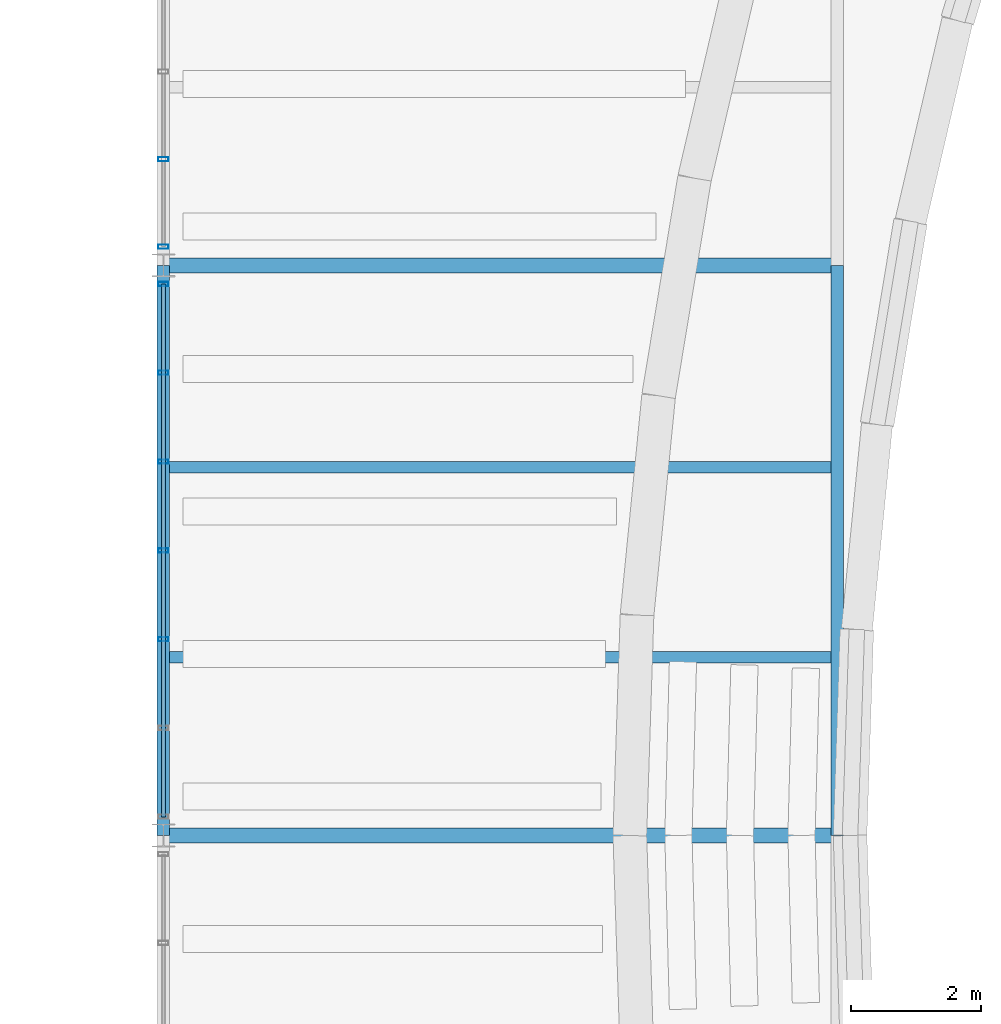
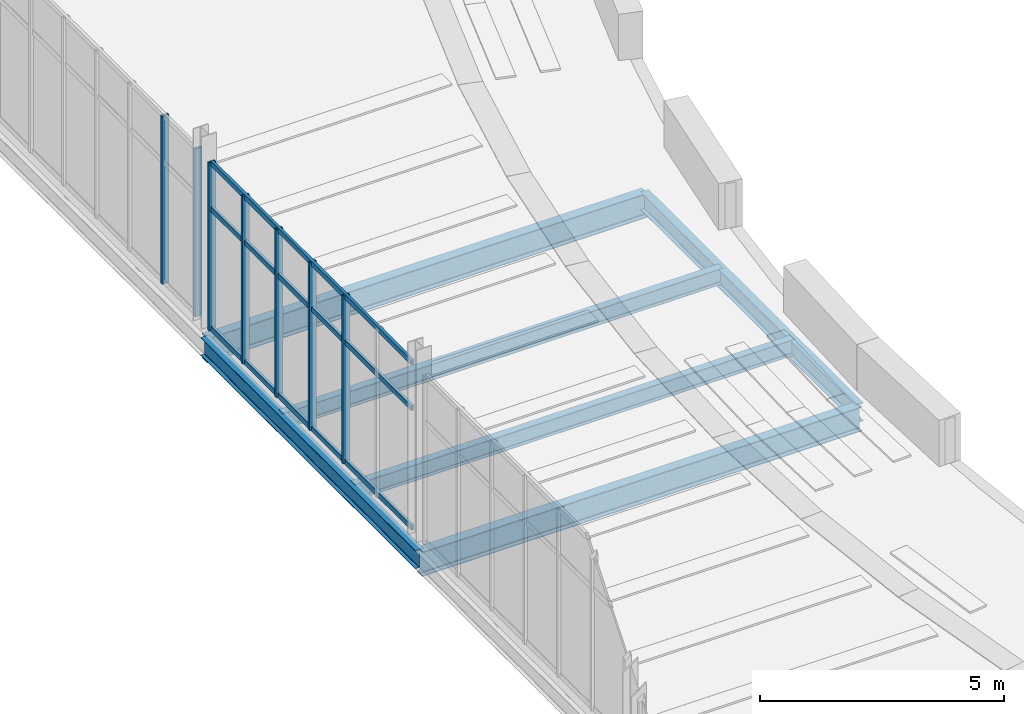
# One storey, part 111 of 157: 10 members, 6 beams, 2 elements without a shape of their own.
"""IFC4 building model written with IfcOpenShell, lengths in metres."""

from ifc_helpers import new_model, si_unit, direction, frame, origin, origin_2d, place, context, subcontext, project, spatial, hollow_rectangle, i_section, extrude, material, layer, layer_set, material_profile, profile_set, type_object, element, aggregate, save


model = new_model("IFC4")

# Units and contexts
model_context = context("Model", 3, precision=1e-05, world=origin(), true_north=direction((0.0, 1.0)))
body_context = subcontext(model_context, "Body", "Model", "MODEL_VIEW")
ifc_project = project(units=[si_unit("LENGTHUNIT", "METRE"), si_unit("AREAUNIT", "SQUARE_METRE"), si_unit("VOLUMEUNIT", "CUBIC_METRE"), si_unit("PLANEANGLEUNIT", "RADIAN"), si_unit("MASSUNIT", "GRAM", prefix="KILO")], contexts=[model_context])

# Site, building, storey
site_placement = place(None, origin())
site = spatial("IfcSite", under=ifc_project, at=site_placement, CompositionType="ELEMENT")
building_placement = place(site_placement, origin())
building = spatial("IfcBuilding", under=site, at=building_placement, Name="Chalmorin Arch Market", CompositionType="ELEMENT")
storey_placement = place(building_placement, frame((0.0, 0.0, 4.800048828125)))
storey = spatial("IfcBuildingStorey", under=building, at=storey_placement, Name="L01", CompositionType="ELEMENT", Elevation=4.800048828125)

# Curtain wall, members
ifc_material_1 = material(Name="Aluminium 6063-T6", Category="aluminium")
ifc_layer_1 = layer(ifc_material_1, 0.159912109375)
ifc_layer_set_1 = layer_set([ifc_layer_1], Name="Aluminium 6063-T6")
curtain_wall_type_1 = type_object("IfcCurtainWallType", Name="GableTympanumCurtainWall-CW4-8220x4200", PredefinedType="NOTDEFINED", material=ifc_layer_set_1)
curtain_wall_1_placement = place(storey_placement, origin())
curtain_wall_1 = element("IfcCurtainWall", 1, at=curtain_wall_1_placement, inside=storey, type_object=curtain_wall_type_1, Name="CW-04-041", PredefinedType="NOTDEFINED")
ifc_material_profile_1 = material_profile(ifc_material_1, hollow_rectangle(XDim=0.06494140625, YDim=0.159912109375, WallThickness=0.00390625, at=origin_2d()), Name="ALU65X160X4")
ifc_profile_set_1 = profile_set([ifc_material_profile_1], Name="Aluminium 6063-T6")
member_type_1 = type_object("IfcMemberType", Name="CurtainWallMullion-65x160", PredefinedType="MULLION", material=ifc_profile_set_1)
member_1_placement = place(storey_placement, frame((124.800048828125, 35.42919921875, 0.0), z_axis=(0.0, 0.0, 1.0), x_axis=(0.0, 1.0, 0.0)))
member_1 = element("IfcMember", 2, at=member_1_placement, type_object=member_type_1, Name="ML-041-03", PredefinedType="MULLION", context=body_context, shape_type="SweptSolid", body=[
    extrude(hollow_rectangle(XDim=0.06494140625, YDim=0.159912109375, WallThickness=0.00390625, at=origin_2d()), origin(), (0.0, 0.0, 1.0), 4.199951171875),
])
member_2_placement = place(storey_placement, frame((124.800048828125, 36.800048828125, 0.0), z_axis=(0.0, 0.0, 1.0), x_axis=(0.0, 1.0, 0.0)))
member_2 = element("IfcMember", 3, at=member_2_placement, type_object=member_type_1, Name="ML-041-04", PredefinedType="MULLION", context=body_context, shape_type="SweptSolid", body=[
    extrude(hollow_rectangle(XDim=0.06494140625, YDim=0.159912109375, WallThickness=0.00390625, at=origin_2d()), origin(), (0.0, 0.0, 1.0), 4.199951171875),
])
member_3_placement = place(storey_placement, frame((124.800048828125, 38.170654296875, 0.0), z_axis=(0.0, 0.0, 1.0), x_axis=(0.0, 1.0, 0.0)))
member_3 = element("IfcMember", 4, at=member_3_placement, type_object=member_type_1, Name="ML-041-05", PredefinedType="MULLION", context=body_context, shape_type="SweptSolid", body=[
    extrude(hollow_rectangle(XDim=0.06494140625, YDim=0.159912109375, WallThickness=0.00390625, at=origin_2d()), origin(), (0.0, 0.0, 1.0), 4.199951171875),
])
member_4_placement = place(storey_placement, frame((124.800048828125, 39.541259765625, 0.0), z_axis=(0.0, 0.0, 1.0), x_axis=(0.0, 1.0, 0.0)))
member_4 = element("IfcMember", 5, at=member_4_placement, type_object=member_type_1, Name="ML-041-06", PredefinedType="MULLION", context=body_context, shape_type="SweptSolid", body=[
    extrude(hollow_rectangle(XDim=0.06494140625, YDim=0.159912109375, WallThickness=0.00390625, at=origin_2d()), origin(), (0.0, 0.0, 1.0), 4.199951171875),
])
member_5_placement = place(storey_placement, frame((124.800048828125, 40.912109375, 0.0), z_axis=(0.0, 0.0, 1.0), x_axis=(0.0, 1.0, 0.0)))
member_5 = element("IfcMember", 6, at=member_5_placement, type_object=member_type_1, Name="ML-041-07", PredefinedType="MULLION", context=body_context, shape_type="SweptSolid", body=[
    extrude(hollow_rectangle(XDim=0.06494140625, YDim=0.159912109375, WallThickness=0.00390625, at=origin_2d()), origin(), (0.0, 0.0, 1.0), 4.199951171875),
])

ifc_layer_2 = layer(ifc_material_1, 0.159912109375)
ifc_layer_set_2 = layer_set([ifc_layer_2], Name="Aluminium 6063-T6")
curtain_wall_type_2 = type_object("IfcCurtainWallType", Name="GableTympanumCurtainWall-CW4-8100x4200", PredefinedType="NOTDEFINED", material=ifc_layer_set_2)
curtain_wall_2_placement = place(storey_placement, origin())
curtain_wall_2 = element("IfcCurtainWall", 7, at=curtain_wall_2_placement, inside=storey, type_object=curtain_wall_type_2, Name="CW-04-042", PredefinedType="NOTDEFINED")
member_6_placement = place(storey_placement, frame((124.800048828125, 41.488037109375, 0.0), z_axis=(0.0, 0.0, 1.0), x_axis=(0.0, 1.0, 0.0)))
member_6 = element("IfcMember", 8, at=member_6_placement, type_object=member_type_1, Name="ML-042-01", PredefinedType="MULLION", context=body_context, shape_type="SweptSolid", body=[
    extrude(hollow_rectangle(XDim=0.06494140625, YDim=0.159912109375, WallThickness=0.00390625, at=origin_2d()), origin(), (0.0, 0.0, 1.0), 4.199951171875),
])
member_7_placement = place(storey_placement, frame((124.800048828125, 42.83837890625, 0.0), z_axis=(0.0, 0.0, 1.0), x_axis=(0.0, 1.0, 0.0)))
member_7 = element("IfcMember", 9, at=member_7_placement, type_object=member_type_1, Name="ML-042-02", PredefinedType="MULLION", context=body_context, shape_type="SweptSolid", body=[
    extrude(hollow_rectangle(XDim=0.06494140625, YDim=0.159912109375, WallThickness=0.00390625, at=origin_2d()), origin(), (0.0, 0.0, 1.0), 4.199951171875),
])
aggregate(curtain_wall_2, [member_6, member_7])

# Member
ifc_material_profile_2 = material_profile(ifc_material_1, hollow_rectangle(XDim=0.06494140625, YDim=0.1298828125, WallThickness=0.00390625, at=origin_2d()), Name="ALU65X130X4")
ifc_profile_set_2 = profile_set([ifc_material_profile_2], Name="Aluminium 6063-T6")
member_type_2 = type_object("IfcMemberType", Name="CurtainWallTransom-65x130", PredefinedType="USERDEFINED", material=ifc_profile_set_2)
member_8_placement = place(storey_placement, frame((124.800048828125, 32.68798828125, 0.034912109375), z_axis=(0.0, 1.0, 0.0), x_axis=(-1.0, 0.0, 0.0)))
member_8 = element("IfcMember", 10, at=member_8_placement, type_object=member_type_2, Name="TR-041-01", ObjectType="TRANSOM", PredefinedType="USERDEFINED", context=body_context, shape_type="SweptSolid", body=[
    extrude(hollow_rectangle(XDim=0.06494140625, YDim=0.1298828125, WallThickness=0.00390625, at=origin_2d()), origin(), (0.0, 0.0, 1.0), 8.22412109375),
])

member_9_placement = place(storey_placement, frame((124.800048828125, 32.68798828125, 3.02392578125), z_axis=(0.0, 1.0, 0.0), x_axis=(-1.0, 0.0, 0.0)))
member_9 = element("IfcMember", 11, at=member_9_placement, type_object=member_type_2, Name="TR-041-02", ObjectType="TRANSOM", PredefinedType="USERDEFINED", context=body_context, shape_type="SweptSolid", body=[
    extrude(hollow_rectangle(XDim=0.06494140625, YDim=0.1298828125, WallThickness=0.00390625, at=origin_2d()), origin(), (0.0, 0.0, 1.0), 8.22412109375),
])

member_10_placement = place(storey_placement, frame((124.800048828125, 32.68798828125, 4.1650390625), z_axis=(0.0, 1.0, 0.0), x_axis=(-1.0, 0.0, 0.0)))
member_10 = element("IfcMember", 12, at=member_10_placement, type_object=member_type_2, Name="TR-041-03", ObjectType="TRANSOM", PredefinedType="USERDEFINED", context=body_context, shape_type="SweptSolid", body=[
    extrude(hollow_rectangle(XDim=0.06494140625, YDim=0.1298828125, WallThickness=0.00390625, at=origin_2d()), origin(), (0.0, 0.0, 1.0), 8.22412109375),
])

aggregate(curtain_wall_1, [member_1, member_2, member_3, member_4, member_5, member_8, member_9, member_10])

# Beams
ifc_material_2 = material(Name="Steel A992 Grade 50", Category="steel")
ifc_material_profile_3 = material_profile(ifc_material_2, i_section(OverallWidth=0.19091796875, OverallDepth=0.45703125, WebThickness=0.009033203125, FlangeThickness=0.014404296875, FilletRadius=0.02001953125, at=origin_2d()), Name="W18X50")
ifc_profile_set_3 = profile_set([ifc_material_profile_3], Name="Steel A992 Grade 50")
beam_type_1 = type_object("IfcBeamType", Name="PerimeterSpandrelBeam-W18X50", PredefinedType="SPANDREL", material=ifc_profile_set_3)
for number, where, z_axis, x_axis, name in (
    (13, (124.800048828125, 32.39990234375, -0.570556640625), (0.0, 1.0, 0.0), (-1.0, 0.0, 0.0), "SP-W18-0690"),
    (14, (135.199951171875, 32.39990234375, -0.570556640625), (0.0, 1.0, 0.0), (-1.0, 0.0, 0.0), "SP-W18-0691"),
):
    element("IfcBeam", number, at=place(storey_placement, frame(where, z_axis=z_axis, x_axis=x_axis)), inside=storey, type_object=beam_type_1, Name=name, PredefinedType="SPANDREL", context=body_context, shape_type="SweptSolid", body=[
        extrude(i_section(OverallWidth=0.19091796875, OverallDepth=0.45703125, WebThickness=0.009033203125, FlangeThickness=0.014404296875, FilletRadius=0.02001953125, at=origin_2d()), origin(), (0.0, 0.0, 1.0), 8.800048828125),
    ])
ifc_material_profile_4 = material_profile(ifc_material_2, i_section(OverallWidth=0.22802734375, OverallDepth=0.60791015625, WebThickness=0.01123046875, FlangeThickness=0.017333984375, FilletRadius=0.02392578125, at=origin_2d()), Name="W24X76")
ifc_profile_set_4 = profile_set([ifc_material_profile_4], Name="Steel A992 Grade 50")
beam_type_2 = type_object("IfcBeamType", Name="PrimarySteelGirder-W24X76", PredefinedType="BEAM", material=ifc_profile_set_4)
for number, where, z_axis, x_axis, name in (
    (15, (124.800048828125, 32.39990234375, -0.64599609375), (1.0, 0.0, 0.0), (0.0, 1.0, 0.0), "BG-W24B-0686"),
    (16, (124.800048828125, 41.199951171875, -0.64599609375), (1.0, 0.0, 0.0), (0.0, 1.0, 0.0), "BG-W24B-0689"),
):
    element("IfcBeam", number, at=place(storey_placement, frame(where, z_axis=z_axis, x_axis=x_axis)), inside=storey, type_object=beam_type_2, Name=name, PredefinedType="BEAM", context=body_context, shape_type="SweptSolid", body=[
        extrude(i_section(OverallWidth=0.22802734375, OverallDepth=0.60791015625, WebThickness=0.01123046875, FlangeThickness=0.017333984375, FilletRadius=0.02392578125, at=origin_2d()), origin(), (0.0, 0.0, 1.0), 10.39990234375),
    ])
ifc_material_profile_5 = material_profile(ifc_material_2, i_section(OverallWidth=0.177978515625, OverallDepth=0.403076171875, WebThickness=0.007568359375, FlangeThickness=0.010986328125, FilletRadius=0.01806640625, at=origin_2d()), Name="W16X36")
ifc_profile_set_5 = profile_set([ifc_material_profile_5], Name="Steel A992 Grade 50")
beam_type_3 = type_object("IfcBeamType", Name="SecondaryFloorJoist-W16X36", PredefinedType="JOIST", material=ifc_profile_set_5)
for number, where, z_axis, x_axis, name in (
    (17, (124.800048828125, 35.1533203125, -0.54345703125), (1.0, 0.0, 0.0), (0.0, 1.0, 0.0), "BJ-W16B-0703"),
    (18, (124.800048828125, 38.086669921875, -0.54345703125), (1.0, 0.0, 0.0), (0.0, 1.0, 0.0), "BJ-W16B-0704"),
):
    element("IfcBeam", number, at=place(storey_placement, frame(where, z_axis=z_axis, x_axis=x_axis)), inside=storey, type_object=beam_type_3, Name=name, PredefinedType="JOIST", context=body_context, shape_type="SweptSolid", body=[
        extrude(i_section(OverallWidth=0.177978515625, OverallDepth=0.403076171875, WebThickness=0.007568359375, FlangeThickness=0.010986328125, FilletRadius=0.01806640625, at=origin_2d()), origin(), (0.0, 0.0, 1.0), 10.39990234375),
    ])

save(model, "model.ifc")
